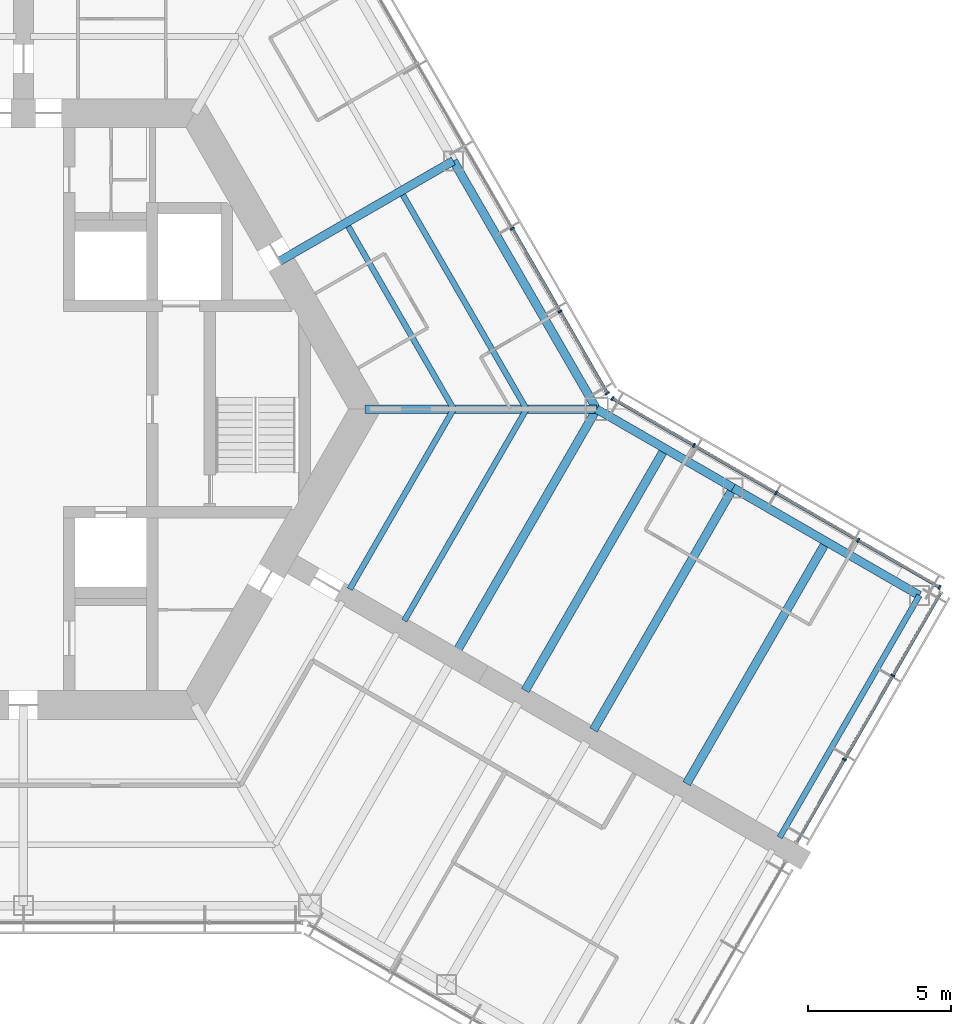
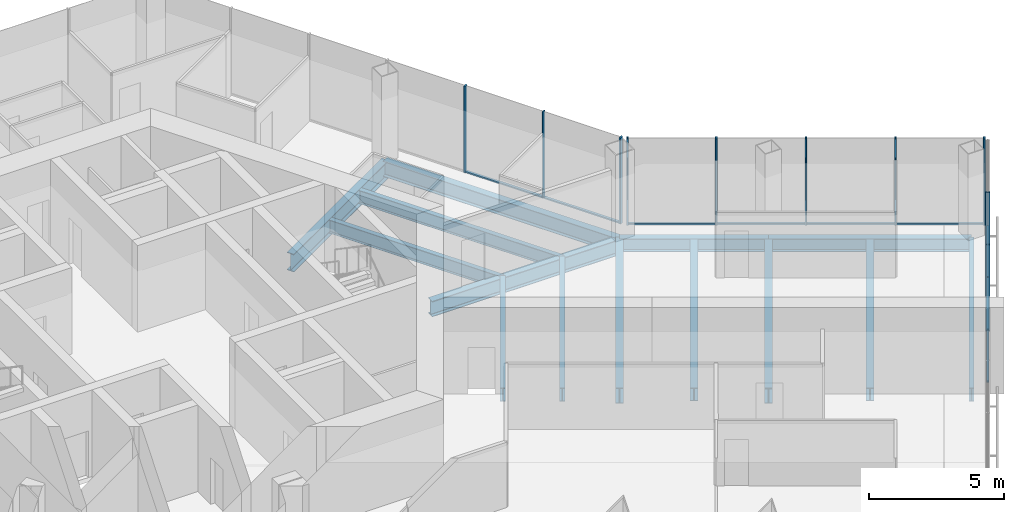
# One storey, part 6 of 18: 19 members, 14 beams, 3 elements without a shape of their own.
"""IFC4 building model written with IfcOpenShell, lengths in metres."""

from ifc_helpers import new_model, si_unit, direction, frame, origin, origin_2d, place, context, subcontext, project, spatial, rectangle, i_section, extrude, material, material_profile, profile_set, type_object, element, aggregate, save


model = new_model("IFC4")

# Units and contexts
model_context = context("Model", 3, precision=1e-05, world=origin(), true_north=direction((0.0, 1.0)))
body_context = subcontext(model_context, "Body", "Model", "MODEL_VIEW")
ifc_project = project(units=[si_unit("LENGTHUNIT", "METRE"), si_unit("AREAUNIT", "SQUARE_METRE"), si_unit("VOLUMEUNIT", "CUBIC_METRE"), si_unit("PLANEANGLEUNIT", "RADIAN"), si_unit("MASSUNIT", "GRAM", prefix="KILO")], contexts=[model_context])

# Site, building, storey
site_placement = place(None, origin())
site = spatial("IfcSite", under=ifc_project, at=site_placement, CompositionType="ELEMENT")
building_placement = place(site_placement, origin())
building = spatial("IfcBuilding", under=site, at=building_placement, Name="Kasaneha Research Tower", CompositionType="ELEMENT")
storey_placement = place(building_placement, frame((0.0, 0.0, 148.699951171875)))
storey = spatial("IfcBuildingStorey", under=building, at=storey_placement, Name="L37", CompositionType="ELEMENT", Elevation=148.699951171875)

# Beams
ifc_material_1 = material(Name="Steel SN490B", Category="steel")
ifc_material_profile_1 = material_profile(ifc_material_1, i_section(OverallWidth=0.199951171875, OverallDepth=0.60009765625, WebThickness=0.010986328125, FlangeThickness=0.01708984375, FilletRadius=0.012939453125, at=origin_2d()), Name="H-600x200x11x17")
ifc_profile_set_1 = profile_set([ifc_material_profile_1], Name="Steel SN490B")
beam_type_1 = type_object("IfcBeamType", Name="B1-3 secondary beam H-600x200x11x17", PredefinedType="JOIST", material=ifc_profile_set_1)
beam_1_placement = place(storey_placement, frame((15.010986328125, 0.0, -0.449951171875), z_axis=(-0.499994443168, 0.866028611999, 0.0), x_axis=(-0.866028611999, -0.499994443168, 0.0)))
element("IfcBeam", 1, at=beam_1_placement, inside=storey, type_object=beam_type_1, Name="Secondary beam RS030L1 L37", PredefinedType="JOIST", context=body_context, shape_type="SweptSolid", body=[
    extrude(i_section(OverallWidth=0.199951171875, OverallDepth=0.60009765625, WebThickness=0.010986328125, FlangeThickness=0.01708984375, FilletRadius=0.012939453125, at=origin_2d()), origin(), (0.0, 0.0, 1.0), 7.35546875),
])
beam_2_placement = place(storey_placement, frame((17.551513671875, 0.0, -0.449951171875), z_axis=(-0.5000050195, 0.866022505755, 0.0), x_axis=(-0.866022505755, -0.5000050195, 0.0)))
element("IfcBeam", 2, at=beam_2_placement, inside=storey, type_object=beam_type_1, Name="Secondary beam RS030L2 L37", PredefinedType="JOIST", context=body_context, shape_type="SweptSolid", body=[
    extrude(i_section(OverallWidth=0.199951171875, OverallDepth=0.60009765625, WebThickness=0.010986328125, FlangeThickness=0.01708984375, FilletRadius=0.012939453125, at=origin_2d()), origin(), (0.0, 0.0, 1.0), 8.6259765625),
])
beam_3_placement = place(storey_placement, frame((15.010986328125, 0.0, -0.449951171875), z_axis=(-0.499993340521, -0.866029248602, 0.0), x_axis=(0.866029248602, -0.499993340521, 0.0)))
element("IfcBeam", 3, at=beam_3_placement, inside=storey, type_object=beam_type_1, Name="Secondary beam RS330R1 L37", PredefinedType="JOIST", context=body_context, shape_type="SweptSolid", body=[
    extrude(i_section(OverallWidth=0.199951171875, OverallDepth=0.60009765625, WebThickness=0.010986328125, FlangeThickness=0.01708984375, FilletRadius=0.012939453125, at=origin_2d()), origin(), (0.0, 0.0, 1.0), 7.25537109375),
])
beam_4_placement = place(storey_placement, frame((17.551513671875, 0.0, -0.449951171875), z_axis=(-0.500004205306, -0.866022975836, 0.0), x_axis=(0.866022975836, -0.500004205306, 0.0)))
element("IfcBeam", 4, at=beam_4_placement, inside=storey, type_object=beam_type_1, Name="Secondary beam RS330R2 L37", PredefinedType="JOIST", context=body_context, shape_type="SweptSolid", body=[
    extrude(i_section(OverallWidth=0.199951171875, OverallDepth=0.60009765625, WebThickness=0.010986328125, FlangeThickness=0.01708984375, FilletRadius=0.012939453125, at=origin_2d()), origin(), (0.0, 0.0, 1.0), 8.52587890625),
])
ifc_material_2 = material(Name="Steel SN490B", Category="steel")
ifc_material_profile_2 = material_profile(ifc_material_2, i_section(OverallWidth=0.300048828125, OverallDepth=0.58203125, WebThickness=0.011962890625, FlangeThickness=0.01708984375, FilletRadius=0.012939453125, at=origin_2d()), Name="H-582x300x12x17")
ifc_profile_set_2 = profile_set([ifc_material_profile_2], Name="Steel SN490B")
beam_type_2 = type_object("IfcBeamType", Name="B2-3 secondary beam H-582x300x12x17", PredefinedType="JOIST", material=ifc_profile_set_2)
for number, where, z_axis, x_axis, name in (
    (5, (22.381591796875, -1.375, -0.44091796875), (-0.499995560238, -0.866027967067, 0.0), (0.866027967067, -0.499995560238, 0.0), "Secondary beam WBCN1 L37"),
    (6, (28.0107421875, -4.625, -0.44091796875), (-0.499995560238, -0.866027967067, 0.0), (0.866027967067, -0.499995560238, 0.0), "Secondary beam WBCN2 L37"),
):
    element("IfcBeam", number, at=place(storey_placement, frame(where, z_axis=z_axis, x_axis=x_axis)), inside=storey, type_object=beam_type_2, Name=name, PredefinedType="JOIST", context=body_context, shape_type="SweptSolid", body=[
        extrude(i_section(OverallWidth=0.300048828125, OverallDepth=0.58203125, WebThickness=0.011962890625, FlangeThickness=0.01708984375, FilletRadius=0.012939453125, at=origin_2d()), origin(), (0.0, 0.0, 1.0), 9.75),
    ])

# Curtain wall, members
ifc_material_3 = material(Name="Glass and aluminium", Category="aluminium")
curtain_wall_type = type_object("IfcCurtainWallType", Name="Mid-rise office curtain wall", PredefinedType="USERDEFINED", material=ifc_material_3)
curtain_wall_1_placement = place(storey_placement, origin())
curtain_wall_1 = element("IfcCurtainWall", 7, at=curtain_wall_1_placement, inside=storey, type_object=curtain_wall_type, Name="CW-O2 L37 run 04a", ObjectType="UNITISED CURTAIN WALL", PredefinedType="USERDEFINED")
ifc_material_4 = material(Name="Aluminium 6063-T6", Category="aluminium")
ifc_material_profile_3 = material_profile(ifc_material_4, rectangle(XDim=0.06005859375, YDim=0.14990234375, at=origin_2d()), Name="CW-O2 mullion 60x150")
ifc_profile_set_3 = profile_set([ifc_material_profile_3], Name="Aluminium 6063-T6")
member_type_1 = type_object("IfcMemberType", Name="CW-O2 mullion", PredefinedType="MULLION", material=ifc_profile_set_3)
member_1_placement = place(storey_placement, frame((28.64453125, -12.22705078125, 0.0), z_axis=(0.0, 0.0, 1.0), x_axis=(0.500000011442, 0.866025397178, 0.0)))
member_1 = element("IfcMember", 8, at=member_1_placement, type_object=member_type_1, Name="CW-O2 mullion 2", PredefinedType="MULLION", context=body_context, shape_type="SweptSolid", body=[
    extrude(rectangle(XDim=0.06005859375, YDim=0.14990234375, at=origin_2d()), origin(), (0.0, 0.0, 1.0), 3.900146484375),
])
member_2_placement = place(storey_placement, frame((30.336181640625, -9.297119140625, 0.0), z_axis=(0.0, 0.0, 1.0), x_axis=(0.500000011442, 0.866025397178, 0.0)))
member_2 = element("IfcMember", 9, at=member_2_placement, type_object=member_type_1, Name="CW-O2 mullion 3", PredefinedType="MULLION", context=body_context, shape_type="SweptSolid", body=[
    extrude(rectangle(XDim=0.06005859375, YDim=0.14990234375, at=origin_2d()), origin(), (0.0, 0.0, 1.0), 3.900146484375),
])

curtain_wall_2_placement = place(storey_placement, origin())
curtain_wall_2 = element("IfcCurtainWall", 10, at=curtain_wall_2_placement, inside=storey, type_object=curtain_wall_type, Name="CW-O2 L37 run 05a", ObjectType="UNITISED CURTAIN WALL", PredefinedType="USERDEFINED")
member_3_placement = place(storey_placement, frame((31.96533203125, -6.21533203125, 0.0), z_axis=(0.0, 0.0, 1.0), x_axis=(-0.866025411464, 0.499999986699, 0.0)))
member_3 = element("IfcMember", 11, at=member_3_placement, type_object=member_type_1, Name="CW-O2 mullion 1", PredefinedType="MULLION", context=body_context, shape_type="SweptSolid", body=[
    extrude(rectangle(XDim=0.06005859375, YDim=0.14990234375, at=origin_2d()), origin(), (0.0, 0.0, 1.0), 3.900146484375),
])
member_4_placement = place(storey_placement, frame((29.125, -4.575439453125, 0.0), z_axis=(0.0, 0.0, 1.0), x_axis=(-0.866025411464, 0.499999986699, 0.0)))
member_4 = element("IfcMember", 12, at=member_4_placement, type_object=member_type_1, Name="CW-O2 mullion 2", PredefinedType="MULLION", context=body_context, shape_type="SweptSolid", body=[
    extrude(rectangle(XDim=0.06005859375, YDim=0.14990234375, at=origin_2d()), origin(), (0.0, 0.0, 1.0), 3.900146484375),
])
member_5_placement = place(storey_placement, frame((26.258544921875, -2.920654296875, 0.0), z_axis=(0.0, 0.0, 1.0), x_axis=(-0.866025411464, 0.499999986699, 0.0)))
member_5 = element("IfcMember", 13, at=member_5_placement, type_object=member_type_1, Name="CW-O2 mullion 3", PredefinedType="MULLION", context=body_context, shape_type="SweptSolid", body=[
    extrude(rectangle(XDim=0.06005859375, YDim=0.14990234375, at=origin_2d()), origin(), (0.0, 0.0, 1.0), 3.900146484375),
])
member_6_placement = place(storey_placement, frame((23.39208984375, -1.265625, 0.0), z_axis=(0.0, 0.0, 1.0), x_axis=(-0.866025411464, 0.499999986699, 0.0)))
member_6 = element("IfcMember", 14, at=member_6_placement, type_object=member_type_1, Name="CW-O2 mullion 4", PredefinedType="MULLION", context=body_context, shape_type="SweptSolid", body=[
    extrude(rectangle(XDim=0.06005859375, YDim=0.14990234375, at=origin_2d()), origin(), (0.0, 0.0, 1.0), 3.900146484375),
])
member_7_placement = place(storey_placement, frame((20.5517578125, 0.374267578125, 0.0), z_axis=(0.0, 0.0, 1.0), x_axis=(-0.866025411464, 0.499999986699, 0.0)))
member_7 = element("IfcMember", 15, at=member_7_placement, type_object=member_type_1, Name="CW-O2 mullion 5", PredefinedType="MULLION", context=body_context, shape_type="SweptSolid", body=[
    extrude(rectangle(XDim=0.06005859375, YDim=0.14990234375, at=origin_2d()), origin(), (0.0, 0.0, 1.0), 3.900146484375),
])

curtain_wall_3_placement = place(storey_placement, origin())
curtain_wall_3 = element("IfcCurtainWall", 16, at=curtain_wall_3_placement, inside=storey, type_object=curtain_wall_type, Name="CW-O2 L37 run 06a", ObjectType="UNITISED CURTAIN WALL", PredefinedType="USERDEFINED")
member_8_placement = place(storey_placement, frame((20.374267578125, 0.5517578125, 0.0), z_axis=(0.0, 0.0, 1.0), x_axis=(-0.499999979232, 0.866025415775, 0.0)))
member_8 = element("IfcMember", 17, at=member_8_placement, type_object=member_type_1, Name="CW-O2 mullion 1", PredefinedType="MULLION", context=body_context, shape_type="SweptSolid", body=[
    extrude(rectangle(XDim=0.06005859375, YDim=0.14990234375, at=origin_2d()), origin(), (0.0, 0.0, 1.0), 3.900146484375),
])
member_9_placement = place(storey_placement, frame((18.723876953125, 3.410400390625, 0.0), z_axis=(0.0, 0.0, 1.0), x_axis=(-0.499999979232, 0.866025415775, 0.0)))
member_9 = element("IfcMember", 18, at=member_9_placement, type_object=member_type_1, Name="CW-O2 mullion 2", PredefinedType="MULLION", context=body_context, shape_type="SweptSolid", body=[
    extrude(rectangle(XDim=0.06005859375, YDim=0.14990234375, at=origin_2d()), origin(), (0.0, 0.0, 1.0), 3.900146484375),
])
member_10_placement = place(storey_placement, frame((17.058349609375, 6.295166015625, 0.0), z_axis=(0.0, 0.0, 1.0), x_axis=(-0.499999979232, 0.866025415775, 0.0)))
member_10 = element("IfcMember", 19, at=member_10_placement, type_object=member_type_1, Name="CW-O2 mullion 3", PredefinedType="MULLION", context=body_context, shape_type="SweptSolid", body=[
    extrude(rectangle(XDim=0.06005859375, YDim=0.14990234375, at=origin_2d()), origin(), (0.0, 0.0, 1.0), 3.900146484375),
])

# Member
ifc_material_5 = material(Name="Aluminium 6063-T6", Category="aluminium")
ifc_material_profile_4 = material_profile(ifc_material_5, rectangle(XDim=0.110107421875, YDim=0.06005859375, at=origin_2d()), Name="CW-O2 transom 110x60")
ifc_profile_set_4 = profile_set([ifc_material_profile_4], Name="Aluminium 6063-T6")
member_type_2 = type_object("IfcMemberType", Name="CW-O2 transom", PredefinedType="USERDEFINED", material=ifc_profile_set_4)
member_11_placement = place(storey_placement, frame((26.98291015625, -15.105224609375, 0.030029296875), z_axis=(0.500021914551, 0.866012751043, 0.0), x_axis=(-0.866012751043, 0.500021914551, 0.0)))
member_11 = element("IfcMember", 20, at=member_11_placement, type_object=member_type_2, Name="CW-O2 transom 1", ObjectType="TRANSOM", PredefinedType="USERDEFINED", context=body_context, shape_type="SweptSolid", body=[
    extrude(rectangle(XDim=0.110107421875, YDim=0.06005859375, at=origin_2d()), origin(), (0.0, 0.0, 1.0), 3.293212890625),
])

member_12_placement = place(storey_placement, frame((28.65966796875, -12.201171875, 0.030029296875), z_axis=(0.499978935311, 0.866037565146, 0.0), x_axis=(-0.866037565146, 0.499978935311, 0.0)))
member_12 = element("IfcMember", 21, at=member_12_placement, type_object=member_type_2, Name="CW-O2 transom 2", ObjectType="TRANSOM", PredefinedType="USERDEFINED", context=body_context, shape_type="SweptSolid", body=[
    extrude(rectangle(XDim=0.110107421875, YDim=0.06005859375, at=origin_2d()), origin(), (0.0, 0.0, 1.0), 3.323486328125),
])

member_13_placement = place(storey_placement, frame((30.351318359375, -9.27099609375, 0.030029296875), z_axis=(0.500021914551, 0.866012751043, 0.0), x_axis=(-0.866012751043, 0.500021914551, 0.0)))
member_13 = element("IfcMember", 22, at=member_13_placement, type_object=member_type_2, Name="CW-O2 transom 3", ObjectType="TRANSOM", PredefinedType="USERDEFINED", context=body_context, shape_type="SweptSolid", body=[
    extrude(rectangle(XDim=0.110107421875, YDim=0.06005859375, at=origin_2d()), origin(), (0.0, 0.0, 1.0), 3.293212890625),
])

aggregate(curtain_wall_1, [member_1, member_2, member_11, member_12, member_13])

member_14_placement = place(storey_placement, frame((31.939453125, -6.200439453125, 0.030029296875), z_axis=(-0.866041647767, 0.499971863542, 0.0), x_axis=(-0.499971863542, -0.866041647767, 0.0)))
member_14 = element("IfcMember", 23, at=member_14_placement, type_object=member_type_2, Name="CW-O2 transom 1", ObjectType="TRANSOM", PredefinedType="USERDEFINED", context=body_context, shape_type="SweptSolid", body=[
    extrude(rectangle(XDim=0.110107421875, YDim=0.06005859375, at=origin_2d()), origin(), (0.0, 0.0, 1.0), 3.219970703125),
])

member_15_placement = place(storey_placement, frame((29.098876953125, -4.560546875, 0.030029296875), z_axis=(-0.86599666273, 0.500049777664, 0.0), x_axis=(-0.500049777664, -0.86599666273, 0.0)))
member_15 = element("IfcMember", 24, at=member_15_placement, type_object=member_type_2, Name="CW-O2 transom 2", ObjectType="TRANSOM", PredefinedType="USERDEFINED", context=body_context, shape_type="SweptSolid", body=[
    extrude(rectangle(XDim=0.110107421875, YDim=0.06005859375, at=origin_2d()), origin(), (0.0, 0.0, 1.0), 3.249755859375),
])

member_16_placement = place(storey_placement, frame((26.232666015625, -2.905517578125, 0.030029296875), z_axis=(-0.86604797581, 0.499960902066, 0.0), x_axis=(-0.499960902066, -0.86604797581, 0.0)))
member_16 = element("IfcMember", 25, at=member_16_placement, type_object=member_type_2, Name="CW-O2 transom 3", ObjectType="TRANSOM", PredefinedType="USERDEFINED", context=body_context, shape_type="SweptSolid", body=[
    extrude(rectangle(XDim=0.110107421875, YDim=0.06005859375, at=origin_2d()), origin(), (0.0, 0.0, 1.0), 3.249755859375),
])

member_17_placement = place(storey_placement, frame((23.3662109375, -1.250732421875, 0.030029296875), z_axis=(-0.866022692473, 0.500004696101, 0.0), x_axis=(-0.500004696101, -0.866022692473, 0.0)))
member_17 = element("IfcMember", 26, at=member_17_placement, type_object=member_type_2, Name="CW-O2 transom 4", ObjectType="TRANSOM", PredefinedType="USERDEFINED", context=body_context, shape_type="SweptSolid", body=[
    extrude(rectangle(XDim=0.110107421875, YDim=0.06005859375, at=origin_2d()), origin(), (0.0, 0.0, 1.0), 3.2197265625),
])

aggregate(curtain_wall_2, [member_3, member_4, member_5, member_6, member_7, member_14, member_15, member_16, member_17])

member_18_placement = place(storey_placement, frame((20.359130859375, 0.577880859375, 0.030029296875), z_axis=(-0.499987643696, 0.866032537582, 0.0), x_axis=(-0.866032537582, -0.499987643696, 0.0)))
member_18 = element("IfcMember", 27, at=member_18_placement, type_object=member_type_2, Name="CW-O2 transom 1", ObjectType="TRANSOM", PredefinedType="USERDEFINED", context=body_context, shape_type="SweptSolid", body=[
    extrude(rectangle(XDim=0.110107421875, YDim=0.06005859375, at=origin_2d()), origin(), (0.0, 0.0, 1.0), 3.24072265625),
])

member_19_placement = place(storey_placement, frame((18.708740234375, 3.4365234375, 0.030029296875), z_axis=(-0.500000270186, 0.866025247793, 0.0), x_axis=(-0.866025247793, -0.500000270186, 0.0)))
member_19 = element("IfcMember", 28, at=member_19_placement, type_object=member_type_2, Name="CW-O2 transom 2", ObjectType="TRANSOM", PredefinedType="USERDEFINED", context=body_context, shape_type="SweptSolid", body=[
    extrude(rectangle(XDim=0.110107421875, YDim=0.06005859375, at=origin_2d()), origin(), (0.0, 0.0, 1.0), 3.27099609375),
])

aggregate(curtain_wall_3, [member_8, member_9, member_10, member_18, member_19])

# Beams
ifc_material_6 = material(Name="Steel SN490B", Category="steel")
ifc_material_profile_5 = material_profile(ifc_material_6, i_section(OverallWidth=0.300048828125, OverallDepth=0.699951171875, WebThickness=0.012939453125, FlangeThickness=0.02392578125, FilletRadius=0.01806640625, at=origin_2d()), Name="H-700x300x13x24")
ifc_profile_set_5 = profile_set([ifc_material_profile_5], Name="Steel SN490B")
beam_type_3 = type_object("IfcBeamType", Name="G1-3 radial girder H-700x300x13x24", PredefinedType="BEAM", material=ifc_profile_set_5)
beam_5_placement = place(storey_placement, frame((11.92236328125, 0.0, -0.5), z_axis=(1.0, 0.0, 0.0), x_axis=(0.0, 1.0, 0.0)))
element("IfcBeam", 29, at=beam_5_placement, inside=storey, type_object=beam_type_3, Name="Radial girder RV000 L37", PredefinedType="BEAM", context=body_context, shape_type="SweptSolid", body=[
    extrude(i_section(OverallWidth=0.300048828125, OverallDepth=0.699951171875, WebThickness=0.012939453125, FlangeThickness=0.02392578125, FilletRadius=0.01806640625, at=origin_2d()), origin(), (0.0, 0.0, 1.0), 8.07763671875),
])
ifc_material_7 = material(Name="Steel SN490B", Category="steel")
ifc_material_profile_6 = material_profile(ifc_material_7, i_section(OverallWidth=0.300048828125, OverallDepth=0.800048828125, WebThickness=0.013916015625, FlangeThickness=0.02587890625, FilletRadius=0.01806640625, at=origin_2d()), Name="H-800x300x14x26")
ifc_profile_set_6 = profile_set([ifc_material_profile_6], Name="Steel SN490B")
beam_type_4 = type_object("IfcBeamType", Name="G2-3 radial girder H-800x300x14x26", PredefinedType="BEAM", material=ifc_profile_set_6)
beam_6_placement = place(storey_placement, frame((8.941650390625, 5.16259765625, -0.550048828125), z_axis=(0.866039713508, 0.499975214012, 0.0), x_axis=(-0.499975214012, 0.866039713508, 0.0)))
element("IfcBeam", 30, at=beam_6_placement, inside=storey, type_object=beam_type_4, Name="Radial girder RM030 L37", PredefinedType="BEAM", context=body_context, shape_type="SweptSolid", body=[
    extrude(i_section(OverallWidth=0.300048828125, OverallDepth=0.800048828125, WebThickness=0.013916015625, FlangeThickness=0.02587890625, FilletRadius=0.01806640625, at=origin_2d()), origin(), (0.0, 0.0, 1.0), 6.995361328125),
])
ifc_material_8 = material(Name="Steel SN490B", Category="steel")
ifc_material_profile_7 = material_profile(ifc_material_8, i_section(OverallWidth=0.300048828125, OverallDepth=0.69189453125, WebThickness=0.012939453125, FlangeThickness=0.02001953125, FilletRadius=0.01806640625, at=origin_2d()), Name="H-692x300x13x20")
ifc_profile_set_7 = profile_set([ifc_material_profile_7], Name="Steel SN490B")
beam_type_5 = type_object("IfcBeamType", Name="G3-3 plate edge girder H-692x300x13x20", PredefinedType="BEAM", material=ifc_profile_set_7)
beam_7_placement = place(storey_placement, frame((20.0, 0.0, -0.495849609375), z_axis=(-0.499995560238, -0.866027967067, 0.0), x_axis=(0.866027967067, -0.499995560238, 0.0)))
element("IfcBeam", 31, at=beam_7_placement, inside=storey, type_object=beam_type_5, Name="Plate edge girder PECN L37", PredefinedType="BEAM", context=body_context, shape_type="SweptSolid", body=[
    extrude(i_section(OverallWidth=0.300048828125, OverallDepth=0.69189453125, WebThickness=0.012939453125, FlangeThickness=0.02001953125, FilletRadius=0.01806640625, at=origin_2d()), origin(), (0.0, 0.0, 1.0), 9.75),
])
ifc_material_9 = material(Name="Steel SN490B", Category="steel")
ifc_material_profile_8 = material_profile(ifc_material_9, i_section(OverallWidth=0.300048828125, OverallDepth=0.699951171875, WebThickness=0.012939453125, FlangeThickness=0.02392578125, FilletRadius=0.01806640625, at=origin_2d()), Name="H-700x300x13x24")
ifc_profile_set_8 = profile_set([ifc_material_profile_8], Name="Steel SN490B")
beam_type_6 = type_object("IfcBeamType", Name="G4-3 wing girder H-700x300x13x24", PredefinedType="BEAM", material=ifc_profile_set_8)
beam_8_placement = place(storey_placement, frame((24.76318359375, -2.75, -0.5), z_axis=(-0.499995560238, -0.866027967067, 0.0), x_axis=(0.866027967067, -0.499995560238, 0.0)))
element("IfcBeam", 32, at=beam_8_placement, inside=storey, type_object=beam_type_6, Name="Wing girder WGCN L37", PredefinedType="BEAM", context=body_context, shape_type="SweptSolid", body=[
    extrude(i_section(OverallWidth=0.300048828125, OverallDepth=0.699951171875, WebThickness=0.012939453125, FlangeThickness=0.02392578125, FilletRadius=0.01806640625, at=origin_2d()), origin(), (0.0, 0.0, 1.0), 9.75),
])
ifc_material_10 = material(Name="Steel SN490B", Category="steel")
ifc_material_profile_9 = material_profile(ifc_material_10, i_section(OverallWidth=0.300048828125, OverallDepth=0.69189453125, WebThickness=0.012939453125, FlangeThickness=0.02001953125, FilletRadius=0.01806640625, at=origin_2d()), Name="H-692x300x13x20")
ifc_profile_set_9 = profile_set([ifc_material_profile_9], Name="Steel SN490B")
beam_type_7 = type_object("IfcBeamType", Name="SB1-3 spandrel beam H-692x300x13x20", PredefinedType="SPANDREL", material=ifc_profile_set_9)
beam_9_placement = place(storey_placement, frame((20.0, 0.0, -0.495849609375), z_axis=(-0.500004234368, 0.866022959057, 0.0), x_axis=(-0.866022959057, -0.500004234368, 0.0)))
element("IfcBeam", 33, at=beam_9_placement, inside=storey, type_object=beam_type_7, Name="Spandrel beam SR030L L37", PredefinedType="SPANDREL", context=body_context, shape_type="SweptSolid", body=[
    extrude(i_section(OverallWidth=0.300048828125, OverallDepth=0.69189453125, WebThickness=0.012939453125, FlangeThickness=0.02001953125, FilletRadius=0.01806640625, at=origin_2d()), origin(), (0.0, 0.0, 1.0), 10.0),
])
ifc_material_11 = material(Name="Steel SN490B", Category="steel")
ifc_material_profile_10 = material_profile(ifc_material_11, i_section(OverallWidth=0.300048828125, OverallDepth=0.58203125, WebThickness=0.011962890625, FlangeThickness=0.01708984375, FilletRadius=0.012939453125, at=origin_2d()), Name="H-582x300x12x17")
ifc_profile_set_10 = profile_set([ifc_material_profile_10], Name="Steel SN490B")
beam_type_8 = type_object("IfcBeamType", Name="SB2-3 spandrel beam H-582x300x12x17", PredefinedType="SPANDREL", material=ifc_profile_set_10)
beam_10_placement = place(storey_placement, frame((20.0, 0.0, -0.44091796875), z_axis=(0.866027397988, -0.499996545922, 0.0), x_axis=(0.499996545922, 0.866027397988, 0.0)))
element("IfcBeam", 34, at=beam_10_placement, inside=storey, type_object=beam_type_8, Name="Spandrel beam WSCN1 L37", PredefinedType="SPANDREL", context=body_context, shape_type="SweptSolid", body=[
    extrude(i_section(OverallWidth=0.300048828125, OverallDepth=0.58203125, WebThickness=0.011962890625, FlangeThickness=0.01708984375, FilletRadius=0.012939453125, at=origin_2d()), origin(), (0.0, 0.0, 1.0), 5.5),
])
beam_11_placement = place(storey_placement, frame((24.76318359375, -2.75, -0.44091796875), z_axis=(0.866022959057, -0.500004234368, 0.0), x_axis=(0.500004234368, 0.866022959057, 0.0)))
element("IfcBeam", 35, at=beam_11_placement, inside=storey, type_object=beam_type_8, Name="Spandrel beam WSCN2 L37", PredefinedType="SPANDREL", context=body_context, shape_type="SweptSolid", body=[
    extrude(i_section(OverallWidth=0.300048828125, OverallDepth=0.58203125, WebThickness=0.011962890625, FlangeThickness=0.01708984375, FilletRadius=0.012939453125, at=origin_2d()), origin(), (0.0, 0.0, 1.0), 7.5),
])
ifc_material_12 = material(Name="Steel SN490B", Category="steel")
ifc_material_profile_11 = material_profile(ifc_material_12, i_section(OverallWidth=0.199951171875, OverallDepth=0.60009765625, WebThickness=0.010986328125, FlangeThickness=0.01708984375, FilletRadius=0.012939453125, at=origin_2d()), Name="H-600x200x11x17")
ifc_profile_set_11 = profile_set([ifc_material_profile_11], Name="Steel SN490B")
beam_type_9 = type_object("IfcBeamType", Name="SB3-3 spandrel beam H-600x200x11x17", PredefinedType="SPANDREL", material=ifc_profile_set_11)
beam_12_placement = place(storey_placement, frame((31.25830078125, -6.5, -0.449951171875), z_axis=(-0.499995560238, -0.866027967067, 0.0), x_axis=(0.866027967067, -0.499995560238, 0.0)))
element("IfcBeam", 36, at=beam_12_placement, inside=storey, type_object=beam_type_9, Name="Spandrel beam WTCN L37", PredefinedType="SPANDREL", context=body_context, shape_type="SweptSolid", body=[
    extrude(i_section(OverallWidth=0.199951171875, OverallDepth=0.60009765625, WebThickness=0.010986328125, FlangeThickness=0.01708984375, FilletRadius=0.012939453125, at=origin_2d()), origin(), (0.0, 0.0, 1.0), 9.75),
])

save(model, "model.ifc")
